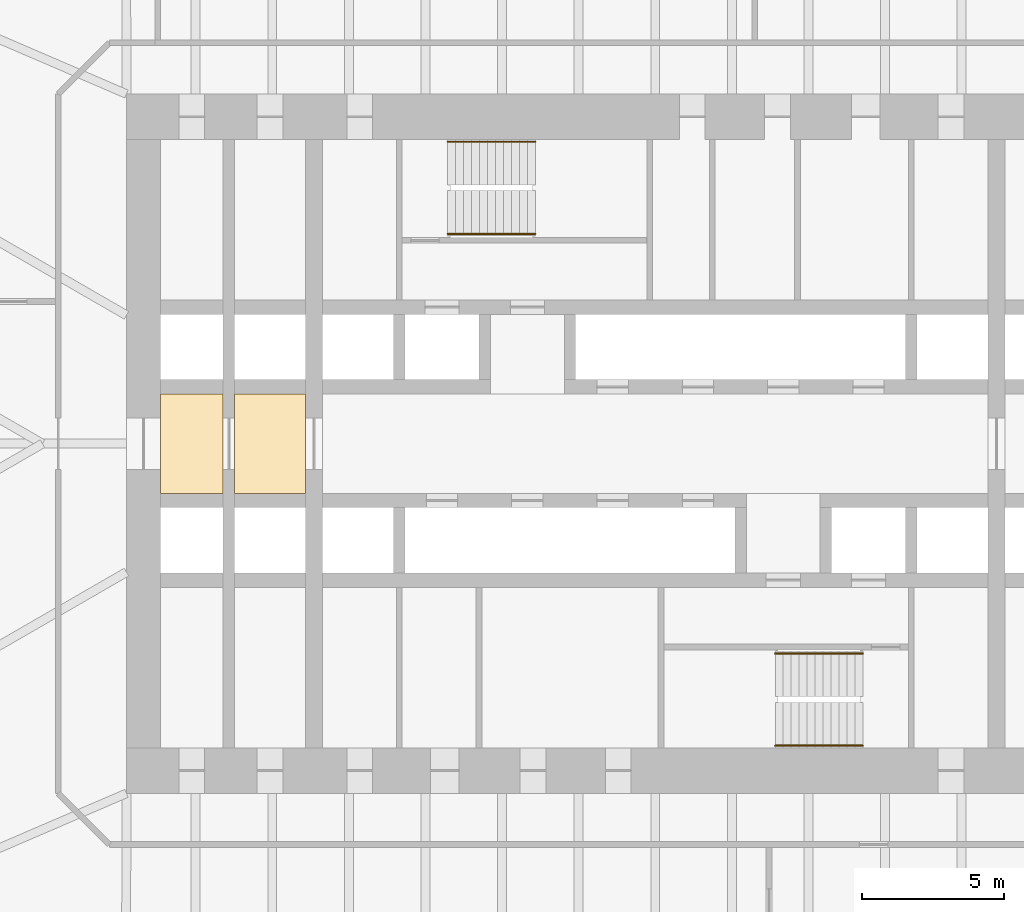
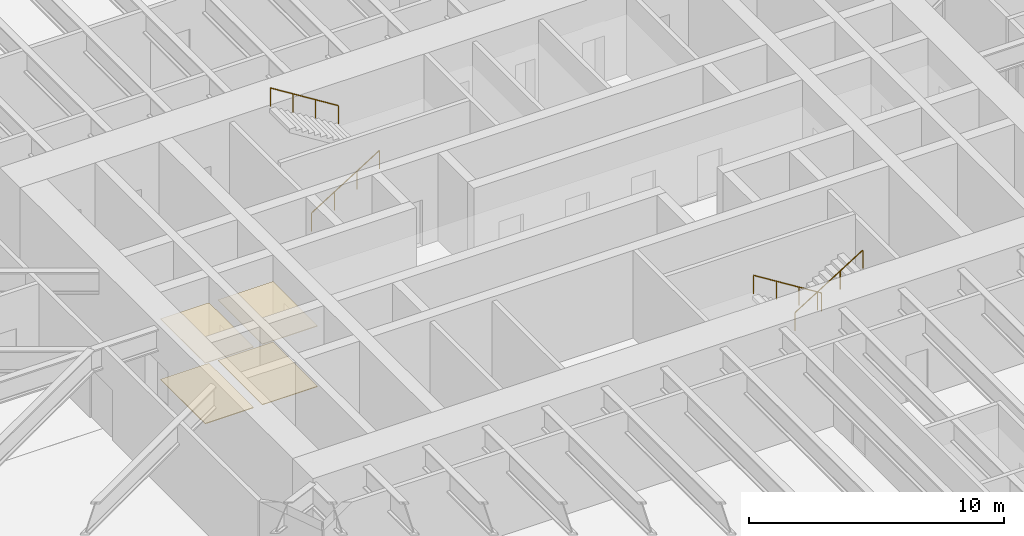
# One storey, part 21 of 23: 4 coverings, 4 railings.
"""IFC4 building model written with IfcOpenShell, lengths in metres."""

from ifc_helpers import new_model, si_unit, direction, frame, origin, origin_2d, place, context, subcontext, project, spatial, polyline, circle, outline, extrude, material, layer, layer_set, type_object, element, save


model = new_model("IFC4")

# Units and contexts
model_context = context("Model", 3, precision=1e-05, world=origin(), true_north=direction((0.0, 1.0)))
body_context = subcontext(model_context, "Body", "Model", "MODEL_VIEW")
ifc_project = project(units=[si_unit("LENGTHUNIT", "METRE"), si_unit("AREAUNIT", "SQUARE_METRE"), si_unit("VOLUMEUNIT", "CUBIC_METRE"), si_unit("PLANEANGLEUNIT", "RADIAN"), si_unit("MASSUNIT", "GRAM", prefix="KILO")], contexts=[model_context])

# Site, building, storey
site_placement = place(None, origin())
site = spatial("IfcSite", under=ifc_project, at=site_placement, CompositionType="ELEMENT")
building_placement = place(site_placement, origin())
building = spatial("IfcBuilding", under=site, at=building_placement, Name="Tarfa Lantern Tower", CompositionType="ELEMENT")
storey_placement = place(building_placement, frame((0.0, 0.0, 48.699951171875)))
storey = spatial("IfcBuildingStorey", under=building, at=storey_placement, Name="L10", CompositionType="ELEMENT", Elevation=48.699951171875)

# Coverings
ifc_material_1 = material(Name="Powder-coated aluminium panel", Category="aluminium")
ifc_layer_1 = layer(ifc_material_1, 0.030029296875)
ifc_layer_set_1 = layer_set([ifc_layer_1], Name="CL3 METAL PANEL CEILING 30")
covering_type_1 = type_object("IfcCoveringType", Name="CL3 METAL PANEL CEILING 30", PredefinedType="CEILING", material=ifc_layer_set_1)
covering_1_placement = place(storey_placement, frame((0.0, 0.0, 2.900146484375)))
element("IfcCovering", 1, at=covering_1_placement, inside=storey, type_object=covering_type_1, Name="Ceiling L10-01", PredefinedType="CEILING", context=body_context, shape_type="SweptSolid", body=[
    extrude(outline(polyline([(-17.39990234375, -1.75), (-15.199951171875, -1.75), (-15.199951171875, 1.75), (-17.39990234375, 1.75), (-17.39990234375, -1.75)])), origin(), (0.0, 0.0, 1.0), 0.02978515625),
])
covering_2_placement = place(storey_placement, frame((0.0, 0.0, 2.900146484375)))
element("IfcCovering", 2, at=covering_2_placement, inside=storey, type_object=covering_type_1, Name="Ceiling L10-02", PredefinedType="CEILING", context=body_context, shape_type="SweptSolid", body=[
    extrude(outline(polyline([(-14.800048828125, -1.75), (-12.300048828125, -1.75), (-12.300048828125, 1.75), (-14.800048828125, 1.75), (-14.800048828125, -1.75)])), origin(), (0.0, 0.0, 1.0), 0.02978515625),
])
ifc_material_2 = material(Name="Honed limestone flooring", Category="masonry")
ifc_layer_2 = layer(ifc_material_2, 0.030029296875)
ifc_layer_set_2 = layer_set([ifc_layer_2], Name="FL2 STONE FLOORING 30")
covering_type_2 = type_object("IfcCoveringType", Name="FL2 STONE FLOORING 30", PredefinedType="FLOORING", material=ifc_layer_set_2)
covering_3_placement = place(storey_placement, origin())
element("IfcCovering", 3, at=covering_3_placement, inside=storey, type_object=covering_type_2, Name="Floor finish L10-01", PredefinedType="FLOORING", context=body_context, shape_type="SweptSolid", body=[
    extrude(outline(polyline([(-17.39990234375, -1.75), (-15.199951171875, -1.75), (-15.199951171875, 1.75), (-17.39990234375, 1.75), (-17.39990234375, -1.75)])), origin(), (0.0, 0.0, 1.0), 0.030029296875),
])
covering_4_placement = place(storey_placement, origin())
element("IfcCovering", 4, at=covering_4_placement, inside=storey, type_object=covering_type_2, Name="Floor finish L10-02", PredefinedType="FLOORING", context=body_context, shape_type="SweptSolid", body=[
    extrude(outline(polyline([(-14.800048828125, -1.75), (-12.300048828125, -1.75), (-12.300048828125, 1.75), (-14.800048828125, 1.75), (-14.800048828125, -1.75)])), origin(), (0.0, 0.0, 1.0), 0.030029296875),
])

# Railings
ifc_material_3 = material(Name="Stainless steel", Category="steel")
railing_type = type_object("IfcRailingType", Name="HR1 HANDRAIL 900", PredefinedType="HANDRAIL", material=ifc_material_3)
railing_1_placement = place(storey_placement, frame((-7.300048828125, 7.3798828125, 0.175048828125)))
element("IfcRailing", 5, at=railing_1_placement, inside=storey, type_object=railing_type, Name="Handrail 1", PredefinedType="HANDRAIL", context=body_context, shape_type="SweptSolid", body=[
    extrude(circle(Radius=0.02392578125, at=origin_2d()), frame((0.0, 0.0, 0.8759765625), z_axis=(0.847998304005, 0.0, 0.529998940003), x_axis=(0.0, 1.0, 0.0)), (0.0, 0.0, 1.0), 3.632080078125),
    extrude(circle(Radius=0.02099609375, at=origin_2d()), frame((0.0, 0.0, 0.0), z_axis=(0.0, 0.0, 1.0), x_axis=(0.0, 1.0, 0.0)), (0.0, 0.0, 1.0), 0.851806640625),
    extrude(circle(Radius=0.02099609375, at=origin_2d()), frame((1.026611328125, 0.0, 0.6416015625), z_axis=(0.0, 0.0, 1.0), x_axis=(0.0, 1.0, 0.0)), (0.0, 0.0, 1.0), 0.851806640625),
    extrude(circle(Radius=0.02099609375, at=origin_2d()), frame((2.053466796875, 0.0, 1.283447265625), z_axis=(0.0, 0.0, 1.0), x_axis=(0.0, 1.0, 0.0)), (0.0, 0.0, 1.0), 0.851806640625),
    extrude(circle(Radius=0.02099609375, at=origin_2d()), frame((3.080078125, 0.0, 1.925048828125), z_axis=(0.0, 0.0, 1.0), x_axis=(0.0, 1.0, 0.0)), (0.0, 0.0, 1.0), 0.851806640625),
])
railing_2_placement = place(storey_placement, frame((-4.219970703125, 10.6201171875, 2.275146484375)))
element("IfcRailing", 6, at=railing_2_placement, inside=storey, type_object=railing_type, Name="Handrail 2", PredefinedType="HANDRAIL", context=body_context, shape_type="SweptSolid", body=[
    extrude(circle(Radius=0.02392578125, at=origin_2d()), frame((0.0, 0.0, 0.8759765625), z_axis=(-0.848028513186, 0.0, 0.529950602248), x_axis=(0.0, -1.0, 0.0)), (0.0, 0.0, 1.0), 3.632080078125),
    extrude(circle(Radius=0.02099609375, at=origin_2d()), frame((0.0, 0.0, 0.0), z_axis=(0.0, 0.0, 1.0), x_axis=(0.0, -1.0, 0.0)), (0.0, 0.0, 1.0), 0.851806640625),
    extrude(circle(Radius=0.02099609375, at=origin_2d()), frame((-1.026611328125, 0.0, 0.6416015625), z_axis=(0.0, 0.0, 1.0), x_axis=(0.0, -1.0, 0.0)), (0.0, 0.0, 1.0), 0.851806640625),
    extrude(circle(Radius=0.02099609375, at=origin_2d()), frame((-2.053466796875, 0.0, 1.283203125), z_axis=(0.0, 0.0, 1.0), x_axis=(0.0, -1.0, 0.0)), (0.0, 0.0, 1.0), 0.851806640625),
    extrude(circle(Radius=0.02099609375, at=origin_2d()), frame((-3.080078125, 0.0, 1.9248046875), z_axis=(0.0, 0.0, 1.0), x_axis=(0.0, -1.0, 0.0)), (0.0, 0.0, 1.0), 0.851806640625),
])
railing_3_placement = place(storey_placement, frame((7.300048828125, -7.3798828125, 0.175048828125)))
element("IfcRailing", 7, at=railing_3_placement, inside=storey, type_object=railing_type, Name="Handrail 1", PredefinedType="HANDRAIL", context=body_context, shape_type="SweptSolid", body=[
    extrude(circle(Radius=0.02392578125, at=origin_2d()), frame((0.0, 0.0, 0.8759765625), z_axis=(-0.847998304005, 0.0, 0.529998940003), x_axis=(0.0, -1.0, 0.0)), (0.0, 0.0, 1.0), 3.632080078125),
    extrude(circle(Radius=0.02099609375, at=origin_2d()), frame((0.0, 0.0, 0.0), z_axis=(0.0, 0.0, 1.0), x_axis=(0.0, -1.0, 0.0)), (0.0, 0.0, 1.0), 0.851806640625),
    extrude(circle(Radius=0.02099609375, at=origin_2d()), frame((-1.026611328125, 0.0, 0.6416015625), z_axis=(0.0, 0.0, 1.0), x_axis=(0.0, -1.0, 0.0)), (0.0, 0.0, 1.0), 0.851806640625),
    extrude(circle(Radius=0.02099609375, at=origin_2d()), frame((-2.053466796875, 0.0, 1.283447265625), z_axis=(0.0, 0.0, 1.0), x_axis=(0.0, -1.0, 0.0)), (0.0, 0.0, 1.0), 0.851806640625),
    extrude(circle(Radius=0.02099609375, at=origin_2d()), frame((-3.080078125, 0.0, 1.925048828125), z_axis=(0.0, 0.0, 1.0), x_axis=(0.0, -1.0, 0.0)), (0.0, 0.0, 1.0), 0.851806640625),
])
railing_4_placement = place(storey_placement, frame((4.219970703125, -10.6201171875, 2.275146484375)))
element("IfcRailing", 8, at=railing_4_placement, inside=storey, type_object=railing_type, Name="Handrail 2", PredefinedType="HANDRAIL", context=body_context, shape_type="SweptSolid", body=[
    extrude(circle(Radius=0.02392578125, at=origin_2d()), frame((0.0, 0.0, 0.8759765625), z_axis=(0.848028513186, 0.0, 0.529950602248), x_axis=(0.0, 1.0, 0.0)), (0.0, 0.0, 1.0), 3.632080078125),
    extrude(circle(Radius=0.02099609375, at=origin_2d()), frame((0.0, 0.0, 0.0), z_axis=(0.0, 0.0, 1.0), x_axis=(0.0, 1.0, 0.0)), (0.0, 0.0, 1.0), 0.851806640625),
    extrude(circle(Radius=0.02099609375, at=origin_2d()), frame((1.026611328125, 0.0, 0.6416015625), z_axis=(0.0, 0.0, 1.0), x_axis=(0.0, 1.0, 0.0)), (0.0, 0.0, 1.0), 0.851806640625),
    extrude(circle(Radius=0.02099609375, at=origin_2d()), frame((2.053466796875, 0.0, 1.283203125), z_axis=(0.0, 0.0, 1.0), x_axis=(0.0, 1.0, 0.0)), (0.0, 0.0, 1.0), 0.851806640625),
    extrude(circle(Radius=0.02099609375, at=origin_2d()), frame((3.080078125, 0.0, 1.9248046875), z_axis=(0.0, 0.0, 1.0), x_axis=(0.0, 1.0, 0.0)), (0.0, 0.0, 1.0), 0.851806640625),
])

save(model, "model.ifc")
